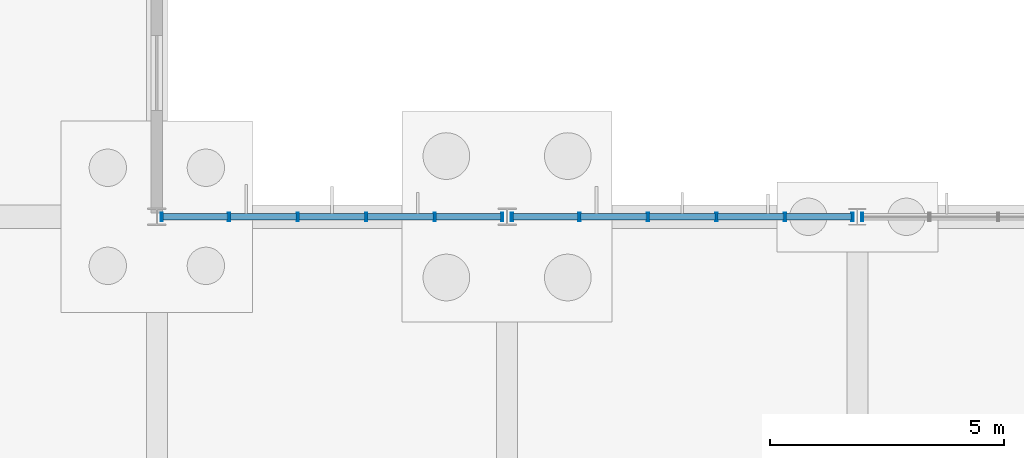
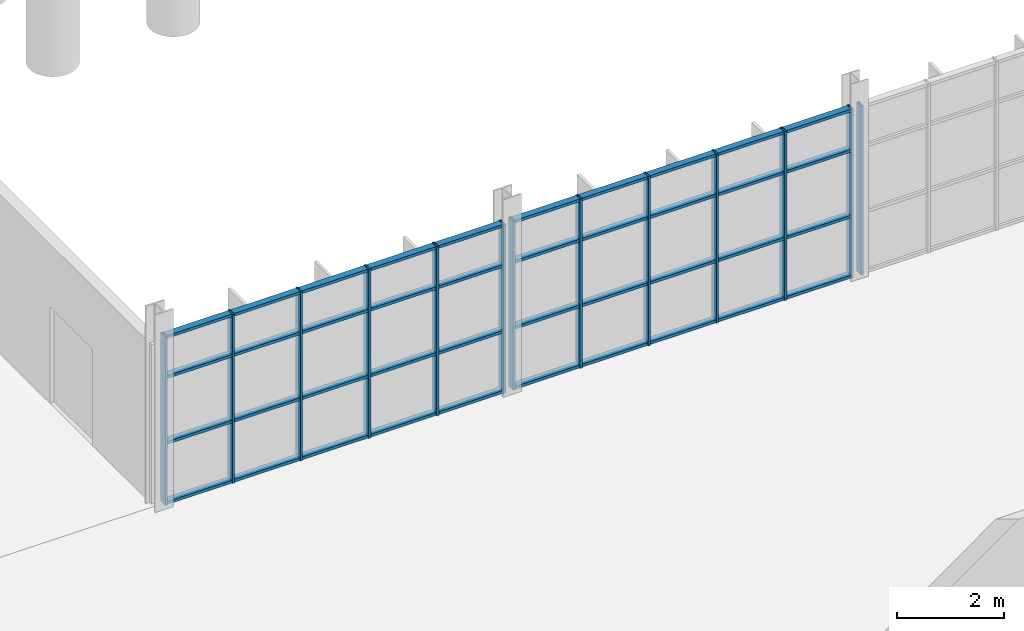
# One storey, part 33 of 136: 53 members, 3 elements without a shape of their own.
"""IFC4 building model written with IfcOpenShell, lengths in metres."""

from ifc_helpers import new_model, si_unit, direction, frame, origin, origin_2d, place, context, subcontext, project, spatial, hollow_rectangle, extrude, material, layer, layer_set, material_profile, profile_set, type_object, element, aggregate, save


model = new_model("IFC4")

# Units and contexts
model_context = context("Model", 3, precision=1e-05, world=origin(), true_north=direction((0.0, 1.0)))
body_context = subcontext(model_context, "Body", "Model", "MODEL_VIEW")
ifc_project = project(units=[si_unit("LENGTHUNIT", "METRE"), si_unit("AREAUNIT", "SQUARE_METRE"), si_unit("VOLUMEUNIT", "CUBIC_METRE"), si_unit("PLANEANGLEUNIT", "RADIAN"), si_unit("MASSUNIT", "GRAM", prefix="KILO")], contexts=[model_context])

# Site, building, storey
site_placement = place(None, origin())
site = spatial("IfcSite", under=ifc_project, at=site_placement, CompositionType="ELEMENT")
building_placement = place(site_placement, origin())
building = spatial("IfcBuilding", under=site, at=building_placement, Name="Solvenia Promenade Tram Depot", CompositionType="ELEMENT")
storey_placement = place(building_placement, origin())
storey = spatial("IfcBuildingStorey", under=building, at=storey_placement, Name="L00", CompositionType="ELEMENT", Elevation=0.0)

# Curtain wall, members
ifc_material = material(Name="Anodized aluminium AW-6063 T6", Category="aluminium")
ifc_layer = layer(ifc_material, 0.14990234375, Name="Anodized aluminium AW-6063 T6", Category="aluminium")
ifc_layer_set = layer_set([ifc_layer], Name="Anodized aluminium AW-6063 T6")
curtain_wall_type = type_object("IfcCurtainWallType", Name="CW-Court-1500", PredefinedType="NOTDEFINED", material=ifc_layer_set)
curtain_wall_1_placement = place(storey_placement, origin())
curtain_wall_1 = element("IfcCurtainWall", 1, at=curtain_wall_1_placement, inside=storey, type_object=curtain_wall_type, Name="Curtain Wall CW-V4N-L00-07", PredefinedType="NOTDEFINED")
ifc_material_profile_1 = material_profile(ifc_material, hollow_rectangle(XDim=0.179931640625, YDim=0.050048828125, WallThickness=0.00390625, at=origin_2d()), Name="ALU-M2", Category="aluminium")
ifc_profile_set_1 = profile_set([ifc_material_profile_1], Name="Anodized aluminium AW-6063 T6")
member_type_1 = type_object("IfcMemberType", Name="CWM-Mullion-2", PredefinedType="MULLION", material=ifc_profile_set_1)
member_1_placement = place(storey_placement, frame((45.10498046875, 24.0, 0.0), z_axis=(0.0, 0.0, 1.0), x_axis=(0.0, 1.0, 0.0)))
member_1 = element("IfcMember", 2, at=member_1_placement, type_object=member_type_1, Name="CW-5 mullion 1", PredefinedType="MULLION", context=body_context, shape_type="SweptSolid", body=[
    extrude(hollow_rectangle(XDim=0.179931640625, YDim=0.050048828125, WallThickness=0.00390625, at=origin_2d()), origin(), (0.0, 0.0, 1.0), 3.85009765625),
])
member_2_placement = place(storey_placement, frame((46.548095703125, 24.0, 0.0), z_axis=(0.0, 0.0, 1.0), x_axis=(0.0, 1.0, 0.0)))
member_2 = element("IfcMember", 3, at=member_2_placement, type_object=member_type_1, Name="CW-5 mullion 2", PredefinedType="MULLION", context=body_context, shape_type="SweptSolid", body=[
    extrude(hollow_rectangle(XDim=0.179931640625, YDim=0.050048828125, WallThickness=0.00390625, at=origin_2d()), origin(), (0.0, 0.0, 1.0), 3.85009765625),
])
member_3_placement = place(storey_placement, frame((48.01611328125, 24.0, 0.0), z_axis=(0.0, 0.0, 1.0), x_axis=(0.0, 1.0, 0.0)))
member_3 = element("IfcMember", 4, at=member_3_placement, type_object=member_type_1, Name="CW-5 mullion 3", PredefinedType="MULLION", context=body_context, shape_type="SweptSolid", body=[
    extrude(hollow_rectangle(XDim=0.179931640625, YDim=0.050048828125, WallThickness=0.00390625, at=origin_2d()), origin(), (0.0, 0.0, 1.0), 3.85009765625),
])
member_4_placement = place(storey_placement, frame((49.48388671875, 24.0, 0.0), z_axis=(0.0, 0.0, 1.0), x_axis=(0.0, 1.0, 0.0)))
member_4 = element("IfcMember", 5, at=member_4_placement, type_object=member_type_1, Name="CW-5 mullion 4", PredefinedType="MULLION", context=body_context, shape_type="SweptSolid", body=[
    extrude(hollow_rectangle(XDim=0.179931640625, YDim=0.050048828125, WallThickness=0.00390625, at=origin_2d()), origin(), (0.0, 0.0, 1.0), 3.85009765625),
])
member_5_placement = place(storey_placement, frame((50.951904296875, 24.0, 0.0), z_axis=(0.0, 0.0, 1.0), x_axis=(0.0, 1.0, 0.0)))
member_5 = element("IfcMember", 6, at=member_5_placement, type_object=member_type_1, Name="CW-5 mullion 5", PredefinedType="MULLION", context=body_context, shape_type="SweptSolid", body=[
    extrude(hollow_rectangle(XDim=0.179931640625, YDim=0.050048828125, WallThickness=0.00390625, at=origin_2d()), origin(), (0.0, 0.0, 1.0), 3.85009765625),
])
member_6_placement = place(storey_placement, frame((52.39501953125, 24.0, 0.0), z_axis=(0.0, 0.0, 1.0), x_axis=(0.0, 1.0, 0.0)))
member_6 = element("IfcMember", 7, at=member_6_placement, type_object=member_type_1, Name="CW-5 mullion 6", PredefinedType="MULLION", context=body_context, shape_type="SweptSolid", body=[
    extrude(hollow_rectangle(XDim=0.179931640625, YDim=0.050048828125, WallThickness=0.00390625, at=origin_2d()), origin(), (0.0, 0.0, 1.0), 3.85009765625),
])

curtain_wall_2_placement = place(storey_placement, origin())
curtain_wall_2 = element("IfcCurtainWall", 8, at=curtain_wall_2_placement, inside=storey, type_object=curtain_wall_type, Name="Curtain Wall CW-V4N-L00-08", PredefinedType="NOTDEFINED")
member_7_placement = place(storey_placement, frame((52.60498046875, 24.0, 0.0), z_axis=(0.0, 0.0, 1.0), x_axis=(0.0, 1.0, 0.0)))
member_7 = element("IfcMember", 9, at=member_7_placement, type_object=member_type_1, Name="CW-5 mullion 1", PredefinedType="MULLION", context=body_context, shape_type="SweptSolid", body=[
    extrude(hollow_rectangle(XDim=0.179931640625, YDim=0.050048828125, WallThickness=0.00390625, at=origin_2d()), origin(), (0.0, 0.0, 1.0), 3.85009765625),
])
member_8_placement = place(storey_placement, frame((54.048095703125, 24.0, 0.0), z_axis=(0.0, 0.0, 1.0), x_axis=(0.0, 1.0, 0.0)))
member_8 = element("IfcMember", 10, at=member_8_placement, type_object=member_type_1, Name="CW-5 mullion 2", PredefinedType="MULLION", context=body_context, shape_type="SweptSolid", body=[
    extrude(hollow_rectangle(XDim=0.179931640625, YDim=0.050048828125, WallThickness=0.00390625, at=origin_2d()), origin(), (0.0, 0.0, 1.0), 3.85009765625),
])
member_9_placement = place(storey_placement, frame((55.51611328125, 24.0, 0.0), z_axis=(0.0, 0.0, 1.0), x_axis=(0.0, 1.0, 0.0)))
member_9 = element("IfcMember", 11, at=member_9_placement, type_object=member_type_1, Name="CW-5 mullion 3", PredefinedType="MULLION", context=body_context, shape_type="SweptSolid", body=[
    extrude(hollow_rectangle(XDim=0.179931640625, YDim=0.050048828125, WallThickness=0.00390625, at=origin_2d()), origin(), (0.0, 0.0, 1.0), 3.85009765625),
])
member_10_placement = place(storey_placement, frame((56.98388671875, 24.0, 0.0), z_axis=(0.0, 0.0, 1.0), x_axis=(0.0, 1.0, 0.0)))
member_10 = element("IfcMember", 12, at=member_10_placement, type_object=member_type_1, Name="CW-5 mullion 4", PredefinedType="MULLION", context=body_context, shape_type="SweptSolid", body=[
    extrude(hollow_rectangle(XDim=0.179931640625, YDim=0.050048828125, WallThickness=0.00390625, at=origin_2d()), origin(), (0.0, 0.0, 1.0), 3.85009765625),
])
member_11_placement = place(storey_placement, frame((58.451904296875, 24.0, 0.0), z_axis=(0.0, 0.0, 1.0), x_axis=(0.0, 1.0, 0.0)))
member_11 = element("IfcMember", 13, at=member_11_placement, type_object=member_type_1, Name="CW-5 mullion 5", PredefinedType="MULLION", context=body_context, shape_type="SweptSolid", body=[
    extrude(hollow_rectangle(XDim=0.179931640625, YDim=0.050048828125, WallThickness=0.00390625, at=origin_2d()), origin(), (0.0, 0.0, 1.0), 3.85009765625),
])
member_12_placement = place(storey_placement, frame((59.89501953125, 24.0, 0.0), z_axis=(0.0, 0.0, 1.0), x_axis=(0.0, 1.0, 0.0)))
member_12 = element("IfcMember", 14, at=member_12_placement, type_object=member_type_1, Name="CW-5 mullion 6", PredefinedType="MULLION", context=body_context, shape_type="SweptSolid", body=[
    extrude(hollow_rectangle(XDim=0.179931640625, YDim=0.050048828125, WallThickness=0.00390625, at=origin_2d()), origin(), (0.0, 0.0, 1.0), 3.85009765625),
])

# Curtain wall, member
curtain_wall_3_placement = place(storey_placement, origin())
curtain_wall_3 = element("IfcCurtainWall", 15, at=curtain_wall_3_placement, inside=storey, type_object=curtain_wall_type, Name="Curtain Wall CW-V4N-L00-09", PredefinedType="NOTDEFINED")
member_13_placement = place(storey_placement, frame((60.10498046875, 24.0, 0.0), z_axis=(0.0, 0.0, 1.0), x_axis=(0.0, 1.0, 0.0)))
member_13 = element("IfcMember", 16, at=member_13_placement, type_object=member_type_1, Name="CW-5 mullion 1", PredefinedType="MULLION", context=body_context, shape_type="SweptSolid", body=[
    extrude(hollow_rectangle(XDim=0.179931640625, YDim=0.050048828125, WallThickness=0.00390625, at=origin_2d()), origin(), (0.0, 0.0, 1.0), 3.85009765625),
])
aggregate(curtain_wall_3, [member_13])

# Member
ifc_material_profile_2 = material_profile(ifc_material, hollow_rectangle(XDim=0.139892578125, YDim=0.06494140625, WallThickness=0.00390625, at=origin_2d()), Name="ALU-T2", Category="aluminium")
ifc_profile_set_2 = profile_set([ifc_material_profile_2], Name="Anodized aluminium AW-6063 T6")
member_type_2 = type_object("IfcMemberType", Name="CWT-Transom-2", PredefinedType="USERDEFINED", material=ifc_profile_set_2)
member_14_placement = place(storey_placement, frame((45.1298828125, 24.0, 0.032470703125), z_axis=(1.0, 0.0, 0.0), x_axis=(0.0, 1.0, 0.0)))
member_14 = element("IfcMember", 17, at=member_14_placement, type_object=member_type_2, Name="CW-5 transom 1.1", ObjectType="TRANSOM", PredefinedType="USERDEFINED", context=body_context, shape_type="SweptSolid", body=[
    extrude(hollow_rectangle(XDim=0.139892578125, YDim=0.06494140625, WallThickness=0.00390625, at=origin_2d()), origin(), (0.0, 0.0, 1.0), 1.39306640625),
])

member_15_placement = place(storey_placement, frame((45.1298828125, 24.0, 1.39990234375), z_axis=(1.0, 0.0, 0.0), x_axis=(0.0, 1.0, 0.0)))
member_15 = element("IfcMember", 18, at=member_15_placement, type_object=member_type_2, Name="CW-5 transom 1.2", ObjectType="TRANSOM", PredefinedType="USERDEFINED", context=body_context, shape_type="SweptSolid", body=[
    extrude(hollow_rectangle(XDim=0.139892578125, YDim=0.06494140625, WallThickness=0.00390625, at=origin_2d()), origin(), (0.0, 0.0, 1.0), 1.39306640625),
])

member_16_placement = place(storey_placement, frame((45.1298828125, 24.0, 2.89990234375), z_axis=(1.0, 0.0, 0.0), x_axis=(0.0, 1.0, 0.0)))
member_16 = element("IfcMember", 19, at=member_16_placement, type_object=member_type_2, Name="CW-5 transom 1.3", ObjectType="TRANSOM", PredefinedType="USERDEFINED", context=body_context, shape_type="SweptSolid", body=[
    extrude(hollow_rectangle(XDim=0.139892578125, YDim=0.06494140625, WallThickness=0.00390625, at=origin_2d()), origin(), (0.0, 0.0, 1.0), 1.39306640625),
])

member_17_placement = place(storey_placement, frame((45.1298828125, 24.0, 3.8173828125), z_axis=(1.0, 0.0, 0.0), x_axis=(0.0, 1.0, 0.0)))
member_17 = element("IfcMember", 20, at=member_17_placement, type_object=member_type_2, Name="CW-5 transom 1.4", ObjectType="TRANSOM", PredefinedType="USERDEFINED", context=body_context, shape_type="SweptSolid", body=[
    extrude(hollow_rectangle(XDim=0.139892578125, YDim=0.06494140625, WallThickness=0.00390625, at=origin_2d()), origin(), (0.0, 0.0, 1.0), 1.39306640625),
])

member_18_placement = place(storey_placement, frame((46.572998046875, 24.0, 0.032470703125), z_axis=(1.0, 0.0, 0.0), x_axis=(0.0, 1.0, 0.0)))
member_18 = element("IfcMember", 21, at=member_18_placement, type_object=member_type_2, Name="CW-5 transom 2.1", ObjectType="TRANSOM", PredefinedType="USERDEFINED", context=body_context, shape_type="SweptSolid", body=[
    extrude(hollow_rectangle(XDim=0.139892578125, YDim=0.06494140625, WallThickness=0.00390625, at=origin_2d()), origin(), (0.0, 0.0, 1.0), 1.41796875),
])

member_19_placement = place(storey_placement, frame((46.572998046875, 24.0, 1.39990234375), z_axis=(1.0, 0.0, 0.0), x_axis=(0.0, 1.0, 0.0)))
member_19 = element("IfcMember", 22, at=member_19_placement, type_object=member_type_2, Name="CW-5 transom 2.2", ObjectType="TRANSOM", PredefinedType="USERDEFINED", context=body_context, shape_type="SweptSolid", body=[
    extrude(hollow_rectangle(XDim=0.139892578125, YDim=0.06494140625, WallThickness=0.00390625, at=origin_2d()), origin(), (0.0, 0.0, 1.0), 1.41796875),
])

member_20_placement = place(storey_placement, frame((46.572998046875, 24.0, 2.89990234375), z_axis=(1.0, 0.0, 0.0), x_axis=(0.0, 1.0, 0.0)))
member_20 = element("IfcMember", 23, at=member_20_placement, type_object=member_type_2, Name="CW-5 transom 2.3", ObjectType="TRANSOM", PredefinedType="USERDEFINED", context=body_context, shape_type="SweptSolid", body=[
    extrude(hollow_rectangle(XDim=0.139892578125, YDim=0.06494140625, WallThickness=0.00390625, at=origin_2d()), origin(), (0.0, 0.0, 1.0), 1.41796875),
])

member_21_placement = place(storey_placement, frame((46.572998046875, 24.0, 3.8173828125), z_axis=(1.0, 0.0, 0.0), x_axis=(0.0, 1.0, 0.0)))
member_21 = element("IfcMember", 24, at=member_21_placement, type_object=member_type_2, Name="CW-5 transom 2.4", ObjectType="TRANSOM", PredefinedType="USERDEFINED", context=body_context, shape_type="SweptSolid", body=[
    extrude(hollow_rectangle(XDim=0.139892578125, YDim=0.06494140625, WallThickness=0.00390625, at=origin_2d()), origin(), (0.0, 0.0, 1.0), 1.41796875),
])

member_22_placement = place(storey_placement, frame((48.041015625, 24.0, 0.032470703125), z_axis=(1.0, 0.0, 0.0), x_axis=(0.0, 1.0, 0.0)))
member_22 = element("IfcMember", 25, at=member_22_placement, type_object=member_type_2, Name="CW-5 transom 3.1", ObjectType="TRANSOM", PredefinedType="USERDEFINED", context=body_context, shape_type="SweptSolid", body=[
    extrude(hollow_rectangle(XDim=0.139892578125, YDim=0.06494140625, WallThickness=0.00390625, at=origin_2d()), origin(), (0.0, 0.0, 1.0), 1.41796875),
])

member_23_placement = place(storey_placement, frame((48.041015625, 24.0, 1.39990234375), z_axis=(1.0, 0.0, 0.0), x_axis=(0.0, 1.0, 0.0)))
member_23 = element("IfcMember", 26, at=member_23_placement, type_object=member_type_2, Name="CW-5 transom 3.2", ObjectType="TRANSOM", PredefinedType="USERDEFINED", context=body_context, shape_type="SweptSolid", body=[
    extrude(hollow_rectangle(XDim=0.139892578125, YDim=0.06494140625, WallThickness=0.00390625, at=origin_2d()), origin(), (0.0, 0.0, 1.0), 1.41796875),
])

member_24_placement = place(storey_placement, frame((48.041015625, 24.0, 2.89990234375), z_axis=(1.0, 0.0, 0.0), x_axis=(0.0, 1.0, 0.0)))
member_24 = element("IfcMember", 27, at=member_24_placement, type_object=member_type_2, Name="CW-5 transom 3.3", ObjectType="TRANSOM", PredefinedType="USERDEFINED", context=body_context, shape_type="SweptSolid", body=[
    extrude(hollow_rectangle(XDim=0.139892578125, YDim=0.06494140625, WallThickness=0.00390625, at=origin_2d()), origin(), (0.0, 0.0, 1.0), 1.41796875),
])

member_25_placement = place(storey_placement, frame((48.041015625, 24.0, 3.8173828125), z_axis=(1.0, 0.0, 0.0), x_axis=(0.0, 1.0, 0.0)))
member_25 = element("IfcMember", 28, at=member_25_placement, type_object=member_type_2, Name="CW-5 transom 3.4", ObjectType="TRANSOM", PredefinedType="USERDEFINED", context=body_context, shape_type="SweptSolid", body=[
    extrude(hollow_rectangle(XDim=0.139892578125, YDim=0.06494140625, WallThickness=0.00390625, at=origin_2d()), origin(), (0.0, 0.0, 1.0), 1.41796875),
])

member_26_placement = place(storey_placement, frame((49.509033203125, 24.0, 0.032470703125), z_axis=(1.0, 0.0, 0.0), x_axis=(0.0, 1.0, 0.0)))
member_26 = element("IfcMember", 29, at=member_26_placement, type_object=member_type_2, Name="CW-5 transom 4.1", ObjectType="TRANSOM", PredefinedType="USERDEFINED", context=body_context, shape_type="SweptSolid", body=[
    extrude(hollow_rectangle(XDim=0.139892578125, YDim=0.06494140625, WallThickness=0.00390625, at=origin_2d()), origin(), (0.0, 0.0, 1.0), 1.41796875),
])

member_27_placement = place(storey_placement, frame((49.509033203125, 24.0, 1.39990234375), z_axis=(1.0, 0.0, 0.0), x_axis=(0.0, 1.0, 0.0)))
member_27 = element("IfcMember", 30, at=member_27_placement, type_object=member_type_2, Name="CW-5 transom 4.2", ObjectType="TRANSOM", PredefinedType="USERDEFINED", context=body_context, shape_type="SweptSolid", body=[
    extrude(hollow_rectangle(XDim=0.139892578125, YDim=0.06494140625, WallThickness=0.00390625, at=origin_2d()), origin(), (0.0, 0.0, 1.0), 1.41796875),
])

member_28_placement = place(storey_placement, frame((49.509033203125, 24.0, 2.89990234375), z_axis=(1.0, 0.0, 0.0), x_axis=(0.0, 1.0, 0.0)))
member_28 = element("IfcMember", 31, at=member_28_placement, type_object=member_type_2, Name="CW-5 transom 4.3", ObjectType="TRANSOM", PredefinedType="USERDEFINED", context=body_context, shape_type="SweptSolid", body=[
    extrude(hollow_rectangle(XDim=0.139892578125, YDim=0.06494140625, WallThickness=0.00390625, at=origin_2d()), origin(), (0.0, 0.0, 1.0), 1.41796875),
])

member_29_placement = place(storey_placement, frame((49.509033203125, 24.0, 3.8173828125), z_axis=(1.0, 0.0, 0.0), x_axis=(0.0, 1.0, 0.0)))
member_29 = element("IfcMember", 32, at=member_29_placement, type_object=member_type_2, Name="CW-5 transom 4.4", ObjectType="TRANSOM", PredefinedType="USERDEFINED", context=body_context, shape_type="SweptSolid", body=[
    extrude(hollow_rectangle(XDim=0.139892578125, YDim=0.06494140625, WallThickness=0.00390625, at=origin_2d()), origin(), (0.0, 0.0, 1.0), 1.41796875),
])

member_30_placement = place(storey_placement, frame((50.97705078125, 24.0, 0.032470703125), z_axis=(1.0, 0.0, 0.0), x_axis=(0.0, 1.0, 0.0)))
member_30 = element("IfcMember", 33, at=member_30_placement, type_object=member_type_2, Name="CW-5 transom 5.1", ObjectType="TRANSOM", PredefinedType="USERDEFINED", context=body_context, shape_type="SweptSolid", body=[
    extrude(hollow_rectangle(XDim=0.139892578125, YDim=0.06494140625, WallThickness=0.00390625, at=origin_2d()), origin(), (0.0, 0.0, 1.0), 1.39306640625),
])

member_31_placement = place(storey_placement, frame((50.97705078125, 24.0, 1.39990234375), z_axis=(1.0, 0.0, 0.0), x_axis=(0.0, 1.0, 0.0)))
member_31 = element("IfcMember", 34, at=member_31_placement, type_object=member_type_2, Name="CW-5 transom 5.2", ObjectType="TRANSOM", PredefinedType="USERDEFINED", context=body_context, shape_type="SweptSolid", body=[
    extrude(hollow_rectangle(XDim=0.139892578125, YDim=0.06494140625, WallThickness=0.00390625, at=origin_2d()), origin(), (0.0, 0.0, 1.0), 1.39306640625),
])

member_32_placement = place(storey_placement, frame((50.97705078125, 24.0, 2.89990234375), z_axis=(1.0, 0.0, 0.0), x_axis=(0.0, 1.0, 0.0)))
member_32 = element("IfcMember", 35, at=member_32_placement, type_object=member_type_2, Name="CW-5 transom 5.3", ObjectType="TRANSOM", PredefinedType="USERDEFINED", context=body_context, shape_type="SweptSolid", body=[
    extrude(hollow_rectangle(XDim=0.139892578125, YDim=0.06494140625, WallThickness=0.00390625, at=origin_2d()), origin(), (0.0, 0.0, 1.0), 1.39306640625),
])

member_33_placement = place(storey_placement, frame((50.97705078125, 24.0, 3.8173828125), z_axis=(1.0, 0.0, 0.0), x_axis=(0.0, 1.0, 0.0)))
member_33 = element("IfcMember", 36, at=member_33_placement, type_object=member_type_2, Name="CW-5 transom 5.4", ObjectType="TRANSOM", PredefinedType="USERDEFINED", context=body_context, shape_type="SweptSolid", body=[
    extrude(hollow_rectangle(XDim=0.139892578125, YDim=0.06494140625, WallThickness=0.00390625, at=origin_2d()), origin(), (0.0, 0.0, 1.0), 1.39306640625),
])

aggregate(curtain_wall_1, [member_1, member_2, member_3, member_4, member_5, member_6, member_14, member_15, member_16, member_17, member_18, member_19, member_20, member_21, member_22, member_23, member_24, member_25, member_26, member_27, member_28, member_29, member_30, member_31, member_32, member_33])

member_34_placement = place(storey_placement, frame((52.6298828125, 24.0, 0.032470703125), z_axis=(1.0, 0.0, 0.0), x_axis=(0.0, 1.0, 0.0)))
member_34 = element("IfcMember", 37, at=member_34_placement, type_object=member_type_2, Name="CW-5 transom 1.1", ObjectType="TRANSOM", PredefinedType="USERDEFINED", context=body_context, shape_type="SweptSolid", body=[
    extrude(hollow_rectangle(XDim=0.139892578125, YDim=0.06494140625, WallThickness=0.00390625, at=origin_2d()), origin(), (0.0, 0.0, 1.0), 1.39306640625),
])

member_35_placement = place(storey_placement, frame((52.6298828125, 24.0, 1.39990234375), z_axis=(1.0, 0.0, 0.0), x_axis=(0.0, 1.0, 0.0)))
member_35 = element("IfcMember", 38, at=member_35_placement, type_object=member_type_2, Name="CW-5 transom 1.2", ObjectType="TRANSOM", PredefinedType="USERDEFINED", context=body_context, shape_type="SweptSolid", body=[
    extrude(hollow_rectangle(XDim=0.139892578125, YDim=0.06494140625, WallThickness=0.00390625, at=origin_2d()), origin(), (0.0, 0.0, 1.0), 1.39306640625),
])

member_36_placement = place(storey_placement, frame((52.6298828125, 24.0, 2.89990234375), z_axis=(1.0, 0.0, 0.0), x_axis=(0.0, 1.0, 0.0)))
member_36 = element("IfcMember", 39, at=member_36_placement, type_object=member_type_2, Name="CW-5 transom 1.3", ObjectType="TRANSOM", PredefinedType="USERDEFINED", context=body_context, shape_type="SweptSolid", body=[
    extrude(hollow_rectangle(XDim=0.139892578125, YDim=0.06494140625, WallThickness=0.00390625, at=origin_2d()), origin(), (0.0, 0.0, 1.0), 1.39306640625),
])

member_37_placement = place(storey_placement, frame((52.6298828125, 24.0, 3.8173828125), z_axis=(1.0, 0.0, 0.0), x_axis=(0.0, 1.0, 0.0)))
member_37 = element("IfcMember", 40, at=member_37_placement, type_object=member_type_2, Name="CW-5 transom 1.4", ObjectType="TRANSOM", PredefinedType="USERDEFINED", context=body_context, shape_type="SweptSolid", body=[
    extrude(hollow_rectangle(XDim=0.139892578125, YDim=0.06494140625, WallThickness=0.00390625, at=origin_2d()), origin(), (0.0, 0.0, 1.0), 1.39306640625),
])

member_38_placement = place(storey_placement, frame((54.072998046875, 24.0, 0.032470703125), z_axis=(1.0, 0.0, 0.0), x_axis=(0.0, 1.0, 0.0)))
member_38 = element("IfcMember", 41, at=member_38_placement, type_object=member_type_2, Name="CW-5 transom 2.1", ObjectType="TRANSOM", PredefinedType="USERDEFINED", context=body_context, shape_type="SweptSolid", body=[
    extrude(hollow_rectangle(XDim=0.139892578125, YDim=0.06494140625, WallThickness=0.00390625, at=origin_2d()), origin(), (0.0, 0.0, 1.0), 1.41796875),
])

member_39_placement = place(storey_placement, frame((54.072998046875, 24.0, 1.39990234375), z_axis=(1.0, 0.0, 0.0), x_axis=(0.0, 1.0, 0.0)))
member_39 = element("IfcMember", 42, at=member_39_placement, type_object=member_type_2, Name="CW-5 transom 2.2", ObjectType="TRANSOM", PredefinedType="USERDEFINED", context=body_context, shape_type="SweptSolid", body=[
    extrude(hollow_rectangle(XDim=0.139892578125, YDim=0.06494140625, WallThickness=0.00390625, at=origin_2d()), origin(), (0.0, 0.0, 1.0), 1.41796875),
])

member_40_placement = place(storey_placement, frame((54.072998046875, 24.0, 2.89990234375), z_axis=(1.0, 0.0, 0.0), x_axis=(0.0, 1.0, 0.0)))
member_40 = element("IfcMember", 43, at=member_40_placement, type_object=member_type_2, Name="CW-5 transom 2.3", ObjectType="TRANSOM", PredefinedType="USERDEFINED", context=body_context, shape_type="SweptSolid", body=[
    extrude(hollow_rectangle(XDim=0.139892578125, YDim=0.06494140625, WallThickness=0.00390625, at=origin_2d()), origin(), (0.0, 0.0, 1.0), 1.41796875),
])

member_41_placement = place(storey_placement, frame((54.072998046875, 24.0, 3.8173828125), z_axis=(1.0, 0.0, 0.0), x_axis=(0.0, 1.0, 0.0)))
member_41 = element("IfcMember", 44, at=member_41_placement, type_object=member_type_2, Name="CW-5 transom 2.4", ObjectType="TRANSOM", PredefinedType="USERDEFINED", context=body_context, shape_type="SweptSolid", body=[
    extrude(hollow_rectangle(XDim=0.139892578125, YDim=0.06494140625, WallThickness=0.00390625, at=origin_2d()), origin(), (0.0, 0.0, 1.0), 1.41796875),
])

member_42_placement = place(storey_placement, frame((55.541015625, 24.0, 0.032470703125), z_axis=(1.0, 0.0, 0.0), x_axis=(0.0, 1.0, 0.0)))
member_42 = element("IfcMember", 45, at=member_42_placement, type_object=member_type_2, Name="CW-5 transom 3.1", ObjectType="TRANSOM", PredefinedType="USERDEFINED", context=body_context, shape_type="SweptSolid", body=[
    extrude(hollow_rectangle(XDim=0.139892578125, YDim=0.06494140625, WallThickness=0.00390625, at=origin_2d()), origin(), (0.0, 0.0, 1.0), 1.41796875),
])

member_43_placement = place(storey_placement, frame((55.541015625, 24.0, 1.39990234375), z_axis=(1.0, 0.0, 0.0), x_axis=(0.0, 1.0, 0.0)))
member_43 = element("IfcMember", 46, at=member_43_placement, type_object=member_type_2, Name="CW-5 transom 3.2", ObjectType="TRANSOM", PredefinedType="USERDEFINED", context=body_context, shape_type="SweptSolid", body=[
    extrude(hollow_rectangle(XDim=0.139892578125, YDim=0.06494140625, WallThickness=0.00390625, at=origin_2d()), origin(), (0.0, 0.0, 1.0), 1.41796875),
])

member_44_placement = place(storey_placement, frame((55.541015625, 24.0, 2.89990234375), z_axis=(1.0, 0.0, 0.0), x_axis=(0.0, 1.0, 0.0)))
member_44 = element("IfcMember", 47, at=member_44_placement, type_object=member_type_2, Name="CW-5 transom 3.3", ObjectType="TRANSOM", PredefinedType="USERDEFINED", context=body_context, shape_type="SweptSolid", body=[
    extrude(hollow_rectangle(XDim=0.139892578125, YDim=0.06494140625, WallThickness=0.00390625, at=origin_2d()), origin(), (0.0, 0.0, 1.0), 1.41796875),
])

member_45_placement = place(storey_placement, frame((55.541015625, 24.0, 3.8173828125), z_axis=(1.0, 0.0, 0.0), x_axis=(0.0, 1.0, 0.0)))
member_45 = element("IfcMember", 48, at=member_45_placement, type_object=member_type_2, Name="CW-5 transom 3.4", ObjectType="TRANSOM", PredefinedType="USERDEFINED", context=body_context, shape_type="SweptSolid", body=[
    extrude(hollow_rectangle(XDim=0.139892578125, YDim=0.06494140625, WallThickness=0.00390625, at=origin_2d()), origin(), (0.0, 0.0, 1.0), 1.41796875),
])

member_46_placement = place(storey_placement, frame((57.009033203125, 24.0, 0.032470703125), z_axis=(1.0, 0.0, 0.0), x_axis=(0.0, 1.0, 0.0)))
member_46 = element("IfcMember", 49, at=member_46_placement, type_object=member_type_2, Name="CW-5 transom 4.1", ObjectType="TRANSOM", PredefinedType="USERDEFINED", context=body_context, shape_type="SweptSolid", body=[
    extrude(hollow_rectangle(XDim=0.139892578125, YDim=0.06494140625, WallThickness=0.00390625, at=origin_2d()), origin(), (0.0, 0.0, 1.0), 1.41796875),
])

member_47_placement = place(storey_placement, frame((57.009033203125, 24.0, 1.39990234375), z_axis=(1.0, 0.0, 0.0), x_axis=(0.0, 1.0, 0.0)))
member_47 = element("IfcMember", 50, at=member_47_placement, type_object=member_type_2, Name="CW-5 transom 4.2", ObjectType="TRANSOM", PredefinedType="USERDEFINED", context=body_context, shape_type="SweptSolid", body=[
    extrude(hollow_rectangle(XDim=0.139892578125, YDim=0.06494140625, WallThickness=0.00390625, at=origin_2d()), origin(), (0.0, 0.0, 1.0), 1.41796875),
])

member_48_placement = place(storey_placement, frame((57.009033203125, 24.0, 2.89990234375), z_axis=(1.0, 0.0, 0.0), x_axis=(0.0, 1.0, 0.0)))
member_48 = element("IfcMember", 51, at=member_48_placement, type_object=member_type_2, Name="CW-5 transom 4.3", ObjectType="TRANSOM", PredefinedType="USERDEFINED", context=body_context, shape_type="SweptSolid", body=[
    extrude(hollow_rectangle(XDim=0.139892578125, YDim=0.06494140625, WallThickness=0.00390625, at=origin_2d()), origin(), (0.0, 0.0, 1.0), 1.41796875),
])

member_49_placement = place(storey_placement, frame((57.009033203125, 24.0, 3.8173828125), z_axis=(1.0, 0.0, 0.0), x_axis=(0.0, 1.0, 0.0)))
member_49 = element("IfcMember", 52, at=member_49_placement, type_object=member_type_2, Name="CW-5 transom 4.4", ObjectType="TRANSOM", PredefinedType="USERDEFINED", context=body_context, shape_type="SweptSolid", body=[
    extrude(hollow_rectangle(XDim=0.139892578125, YDim=0.06494140625, WallThickness=0.00390625, at=origin_2d()), origin(), (0.0, 0.0, 1.0), 1.41796875),
])

member_50_placement = place(storey_placement, frame((58.47705078125, 24.0, 0.032470703125), z_axis=(1.0, 0.0, 0.0), x_axis=(0.0, 1.0, 0.0)))
member_50 = element("IfcMember", 53, at=member_50_placement, type_object=member_type_2, Name="CW-5 transom 5.1", ObjectType="TRANSOM", PredefinedType="USERDEFINED", context=body_context, shape_type="SweptSolid", body=[
    extrude(hollow_rectangle(XDim=0.139892578125, YDim=0.06494140625, WallThickness=0.00390625, at=origin_2d()), origin(), (0.0, 0.0, 1.0), 1.39306640625),
])

member_51_placement = place(storey_placement, frame((58.47705078125, 24.0, 1.39990234375), z_axis=(1.0, 0.0, 0.0), x_axis=(0.0, 1.0, 0.0)))
member_51 = element("IfcMember", 54, at=member_51_placement, type_object=member_type_2, Name="CW-5 transom 5.2", ObjectType="TRANSOM", PredefinedType="USERDEFINED", context=body_context, shape_type="SweptSolid", body=[
    extrude(hollow_rectangle(XDim=0.139892578125, YDim=0.06494140625, WallThickness=0.00390625, at=origin_2d()), origin(), (0.0, 0.0, 1.0), 1.39306640625),
])

member_52_placement = place(storey_placement, frame((58.47705078125, 24.0, 2.89990234375), z_axis=(1.0, 0.0, 0.0), x_axis=(0.0, 1.0, 0.0)))
member_52 = element("IfcMember", 55, at=member_52_placement, type_object=member_type_2, Name="CW-5 transom 5.3", ObjectType="TRANSOM", PredefinedType="USERDEFINED", context=body_context, shape_type="SweptSolid", body=[
    extrude(hollow_rectangle(XDim=0.139892578125, YDim=0.06494140625, WallThickness=0.00390625, at=origin_2d()), origin(), (0.0, 0.0, 1.0), 1.39306640625),
])

member_53_placement = place(storey_placement, frame((58.47705078125, 24.0, 3.8173828125), z_axis=(1.0, 0.0, 0.0), x_axis=(0.0, 1.0, 0.0)))
member_53 = element("IfcMember", 56, at=member_53_placement, type_object=member_type_2, Name="CW-5 transom 5.4", ObjectType="TRANSOM", PredefinedType="USERDEFINED", context=body_context, shape_type="SweptSolid", body=[
    extrude(hollow_rectangle(XDim=0.139892578125, YDim=0.06494140625, WallThickness=0.00390625, at=origin_2d()), origin(), (0.0, 0.0, 1.0), 1.39306640625),
])

aggregate(curtain_wall_2, [member_7, member_8, member_9, member_10, member_11, member_12, member_34, member_35, member_36, member_37, member_38, member_39, member_40, member_41, member_42, member_43, member_44, member_45, member_46, member_47, member_48, member_49, member_50, member_51, member_52, member_53])

save(model, "model.ifc")
